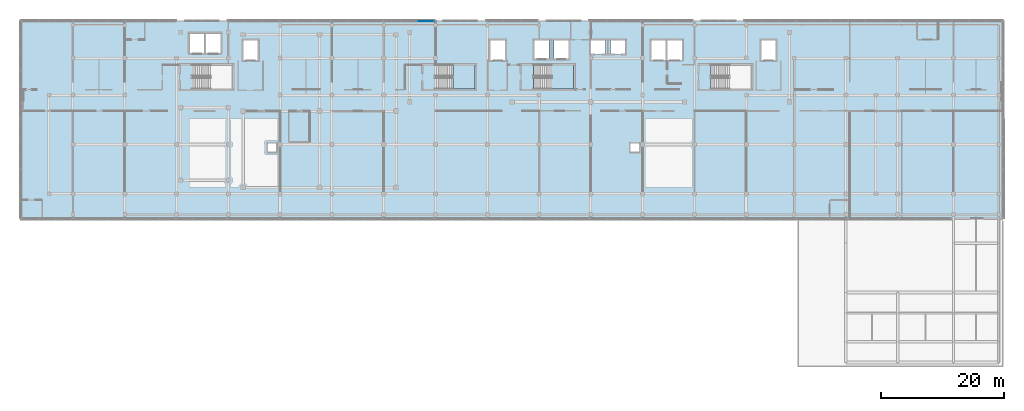
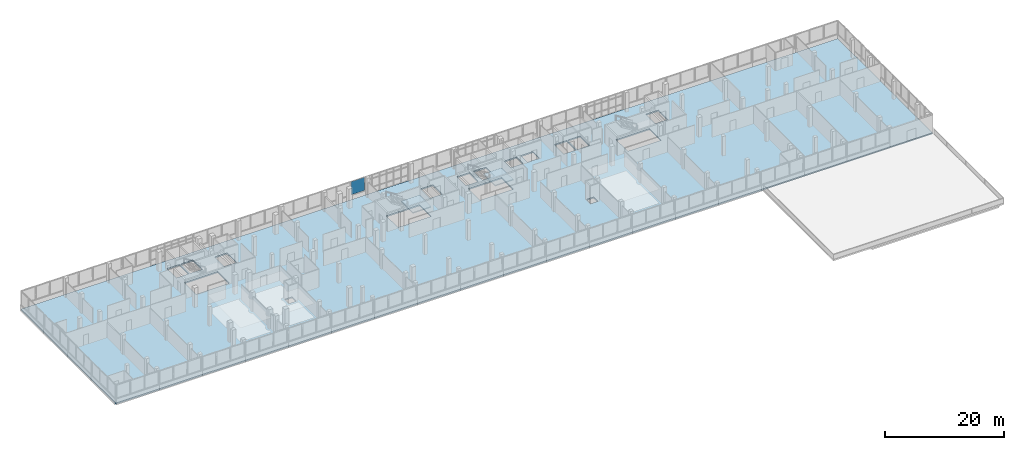
# One storey, part 63 of 76: 3 slabs, 1 plate, 3 elements without a shape of their own.
"""IFC4 building model written with IfcOpenShell, lengths in metres."""

from ifc_helpers import new_model, si_unit, direction, frame, origin, origin_2d, place, context, subcontext, project, spatial, polyline, rectangle, outline, extrude, material, layer, layer_set, type_object, element, aggregate, save


model = new_model("IFC4")

# Units and contexts
model_context = context("Model", 3, precision=1e-05, world=origin(), true_north=direction((0.0, 1.0)))
body_context = subcontext(model_context, "Body", "Model", "MODEL_VIEW")
ifc_project = project(units=[si_unit("LENGTHUNIT", "METRE"), si_unit("AREAUNIT", "SQUARE_METRE"), si_unit("VOLUMEUNIT", "CUBIC_METRE"), si_unit("PLANEANGLEUNIT", "RADIAN"), si_unit("MASSUNIT", "GRAM", prefix="KILO")], contexts=[model_context])

# Site, building, storey
site_placement = place(None, origin())
site = spatial("IfcSite", under=ifc_project, at=site_placement, CompositionType="ELEMENT")
building_placement = place(site_placement, origin())
building = spatial("IfcBuilding", under=site, at=building_placement, Name="Selatvlak General Hospital", CompositionType="ELEMENT")
storey_placement = place(building_placement, frame((0.0, 0.0, 27.300048828125)))
storey = spatial("IfcBuildingStorey", under=building, at=storey_placement, Name="L06", CompositionType="ELEMENT", Elevation=27.300048828125)

# Curtain wall, plate
ifc_material_1 = material(Name="Solar-control Low-E double glazing", Category="glass")
curtain_wall_type = type_object("IfcCurtainWallType", Name="CW-CW-01", PredefinedType="USERDEFINED", material=ifc_material_1)
curtain_wall_placement = place(storey_placement, origin())
curtain_wall = element("IfcCurtainWall", 1, at=curtain_wall_placement, inside=storey, type_object=curtain_wall_type, Name="Glazed facade curtain wall CW-L06-0605", ObjectType="UNITISED CURTAIN WALL", PredefinedType="USERDEFINED")
ifc_layer_1 = layer(ifc_material_1, 0.028076171875, Name="Solar-control Low-E double glazing", Category="glass")
ifc_layer_set_1 = layer_set([ifc_layer_1], Name="Solar-control Low-E double glazing")
plate_type = type_object("IfcPlateType", Name="CWP-01", PredefinedType="CURTAIN_PANEL", material=ifc_layer_set_1)
plate_placement = place(storey_placement, frame((88.41650390625, 119.9990234375, 1.0048828125), z_axis=(0.0, 0.0, 1.0), x_axis=(1.0, 0.0, 0.0)))
plate = element("IfcPlate", 2, at=plate_placement, type_object=plate_type, Name="CW-01 panel 3.1", PredefinedType="CURTAIN_PANEL", context=body_context, shape_type="SweptSolid", body=[
    extrude(rectangle(XDim=2.6689453125, YDim=0.028076171875, at=origin_2d()), origin(), (0.0, 0.0, 1.0), 2.7099609375),
])
aggregate(curtain_wall, [plate])

# Stair, slab
ifc_material_2 = material(Name="Precast concrete C40/50", Category="concrete")
stair_type_1 = type_object("IfcStairType", Name="STAIR-ST-02", PredefinedType="HALF_TURN_STAIR", material=ifc_material_2)
stair_1_placement = place(storey_placement, origin())
stair_1 = element("IfcStair", 3, at=stair_1_placement, inside=storey, type_object=stair_type_1, Name="L06 Protected exit stair ST-02", PredefinedType="HALF_TURN_STAIR")
ifc_material_3 = material(Name="Concrete C40/50", Category="concrete")
ifc_layer_2 = layer(ifc_material_3, 0.199951171875, Name="Concrete C40/50", Category="concrete")
ifc_layer_set_2 = layer_set([ifc_layer_2], Name="Concrete C40/50")
slab_type_1 = type_object("IfcSlabType", Name="SLAB-LND1", PredefinedType="LANDING", material=ifc_layer_set_2)
slab_1_placement = place(storey_placement, frame((0.0, 0.0, 1.824951171875)))
slab_1 = element("IfcSlab", 4, at=slab_1_placement, type_object=slab_type_1, Name="ST-02 landing 1", PredefinedType="LANDING", context=body_context, shape_type="SweptSolid", body=[
    extrude(outline(polyline([(92.81494140625, 109.0), (96.39990234375, 109.0), (96.39990234375, 112.93994140625), (92.81494140625, 112.93994140625), (92.81494140625, 109.0)])), origin(), (0.0, 0.0, 1.0), 0.199951171875),
])
aggregate(stair_1, [slab_1])

stair_type_2 = type_object("IfcStairType", Name="STAIR-ST-03", PredefinedType="HALF_TURN_STAIR", material=ifc_material_2)
stair_2_placement = place(storey_placement, origin())
stair_2 = element("IfcStair", 5, at=stair_2_placement, inside=storey, type_object=stair_type_2, Name="L06 Protected exit stair ST-03", PredefinedType="HALF_TURN_STAIR")
slab_2_placement = place(storey_placement, frame((0.0, 0.0, 1.824951171875)))
slab_2 = element("IfcSlab", 6, at=slab_2_placement, type_object=slab_type_1, Name="ST-03 landing 1", PredefinedType="LANDING", context=body_context, shape_type="SweptSolid", body=[
    extrude(outline(polyline([(108.81494140625, 109.0), (112.39990234375, 109.0), (112.39990234375, 112.93994140625), (108.81494140625, 112.93994140625), (108.81494140625, 109.0)])), origin(), (0.0, 0.0, 1.0), 0.199951171875),
])
aggregate(stair_2, [slab_2])

# Slab
ifc_layer_3 = layer(ifc_material_3, 0.27490234375, Name="Concrete C40/50", Category="concrete")
ifc_layer_set_3 = layer_set([ifc_layer_3], Name="Concrete C40/50")
slab_type_2 = type_object("IfcSlabType", Name="SLAB-SL-FL6", PredefinedType="FLOOR", material=ifc_layer_set_3)
slab_3_placement = place(storey_placement, frame((0.0, 0.0, -0.275146484375)))
element("IfcSlab", 7, at=slab_3_placement, inside=storey, type_object=slab_type_2, Name="L06 V5N structural slab", PredefinedType="FLOOR", context=body_context, shape_type="SweptSolid", body=[
    extrude(outline(polyline([(22.800048828125, 88.0), (22.800048828125, 120.0), (182.0, 120.0), (182.0, 88.0), (22.800048828125, 88.0)]), holes=[polyline([(57.050048828125, 109.0), (57.050048828125, 112.93994140625), (50.554931640625, 112.93994140625), (50.554931640625, 109.0), (57.050048828125, 109.0)]), polyline([(89.905029296875, 109.0), (96.39990234375, 109.0), (96.39990234375, 112.93994140625), (89.905029296875, 112.93994140625), (89.905029296875, 109.0)]), polyline([(105.905029296875, 112.93994140625), (105.905029296875, 109.0), (112.39990234375, 109.0), (112.39990234375, 112.93994140625), (105.905029296875, 112.93994140625)]), polyline([(141.199951171875, 112.93994140625), (134.705078125, 112.93994140625), (134.705078125, 109.0), (141.199951171875, 109.0), (141.199951171875, 112.93994140625)]), polyline([(61.199951171875, 116.89990234375), (58.800048828125, 116.89990234375), (58.800048828125, 113.699951171875), (61.199951171875, 113.699951171875), (61.199951171875, 116.89990234375)]), polyline([(101.300048828125, 113.699951171875), (101.300048828125, 116.89990234375), (98.89990234375, 116.89990234375), (98.89990234375, 113.699951171875), (101.300048828125, 113.699951171875)]), polyline([(142.800048828125, 113.699951171875), (145.199951171875, 113.699951171875), (145.199951171875, 116.89990234375), (142.800048828125, 116.89990234375), (142.800048828125, 113.699951171875)]), polyline([(50.10009765625, 118.0), (50.10009765625, 114.800048828125), (52.5, 114.800048828125), (52.5, 118.0), (50.10009765625, 118.0)]), polyline([(55.14990234375, 118.0), (52.75, 118.0), (52.75, 114.800048828125), (55.14990234375, 114.800048828125), (55.14990234375, 118.0)]), polyline([(127.35009765625, 113.699951171875), (127.35009765625, 116.89990234375), (124.949951171875, 116.89990234375), (124.949951171875, 113.699951171875), (127.35009765625, 113.699951171875)]), polyline([(127.60009765625, 113.699951171875), (130.0, 113.699951171875), (130.0, 116.89990234375), (127.60009765625, 116.89990234375), (127.60009765625, 113.699951171875)]), polyline([(115.199951171875, 116.89990234375), (115.199951171875, 114.699951171875), (117.60009765625, 114.699951171875), (117.60009765625, 116.89990234375), (115.199951171875, 116.89990234375)]), polyline([(120.800048828125, 116.89990234375), (118.39990234375, 116.89990234375), (118.39990234375, 114.699951171875), (120.800048828125, 114.699951171875), (120.800048828125, 116.89990234375)]), polyline([(108.39990234375, 113.89990234375), (108.39990234375, 116.89990234375), (106.0, 116.89990234375), (106.0, 113.89990234375), (108.39990234375, 113.89990234375)]), polyline([(109.199951171875, 113.89990234375), (111.60009765625, 113.89990234375), (111.60009765625, 116.89990234375), (109.199951171875, 116.89990234375), (109.199951171875, 113.89990234375)]), polyline([(62.800048828125, 100.199951171875), (62.800048828125, 98.800048828125), (64.199951171875, 98.800048828125), (64.199951171875, 100.199951171875), (62.800048828125, 100.199951171875)]), polyline([(123.0, 100.199951171875), (121.60009765625, 100.199951171875), (121.60009765625, 98.800048828125), (123.0, 98.800048828125), (123.0, 100.199951171875)])]), origin(), (0.0, 0.0, 1.0), 0.275146484375),
])

save(model, "model.ifc")
